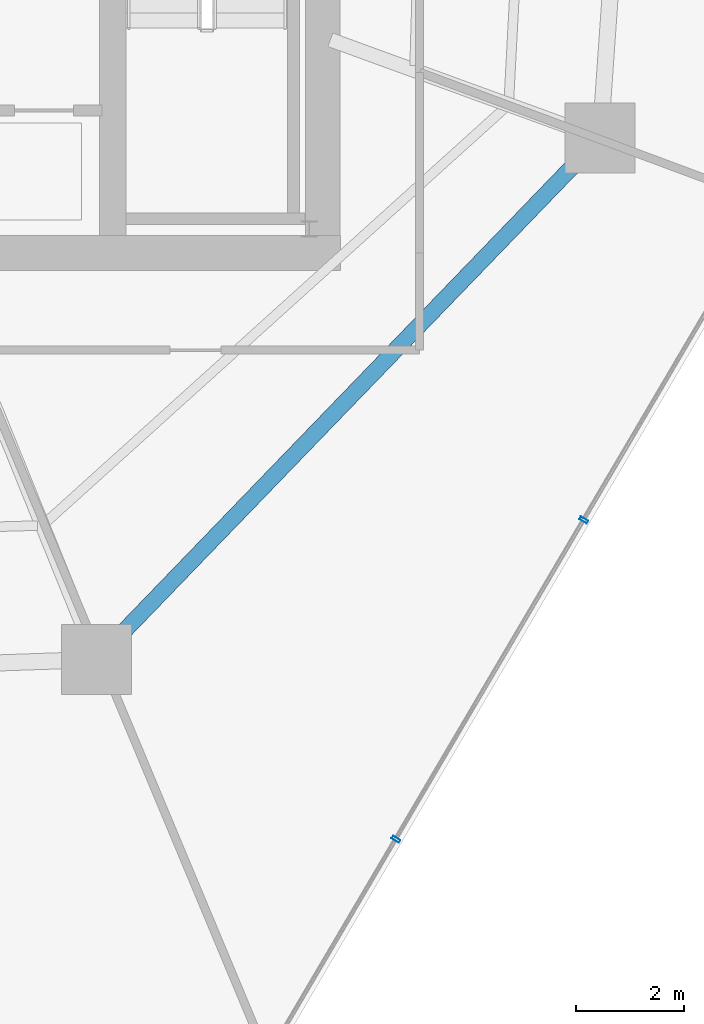
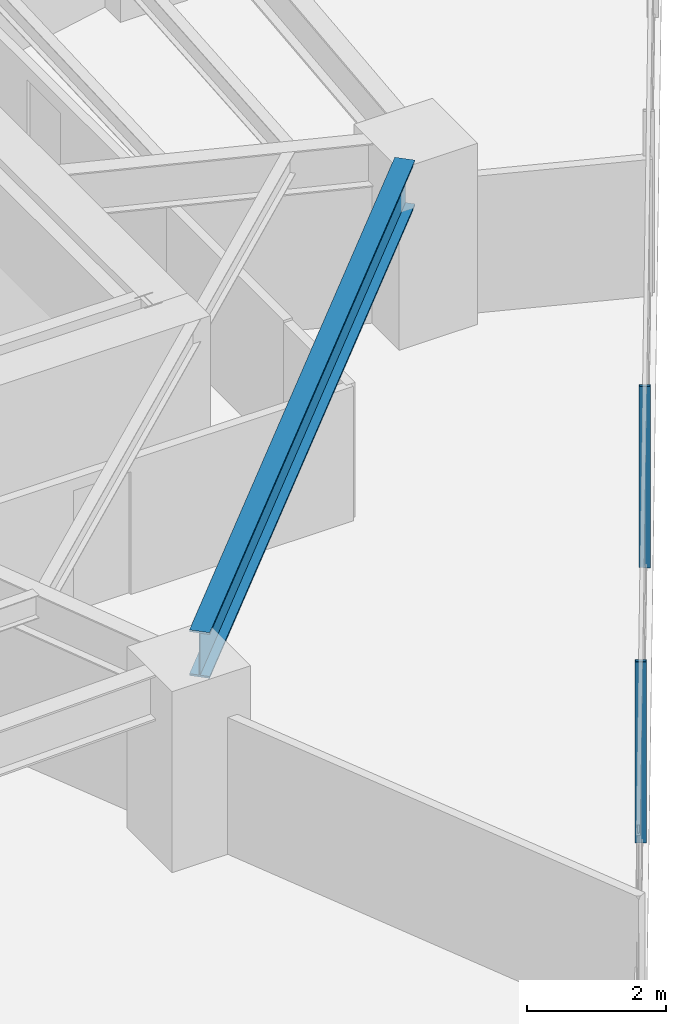
# One storey, part 11 of 31: 2 members, 1 beam, 1 element without a shape of its own.
"""IFC4 building model written with IfcOpenShell, lengths in metres."""

import ifcopenshell
import ifcopenshell.guid

model = None  # the IFC model being written
_history = None  # IfcOwnerHistory: only IFC2X3 demands one
_inside = {}  # id of a spatial element -> (the spatial element, [elements in it])
_under = {}  # id of a project, library or spatial element -> (it, [spatial elements below it])
_declared = {}  # id of a project -> (the project, [libraries it declares])
_typed = {}  # id of a type object -> (the type object, [elements of that type])
_made_of = {}  # id of a material, layer set ... -> (it, [elements and type objects made of it])


def new_model(schema):
    """Start an empty IFC model of exactly this schema.

    Asked for "IFC4X3", IfcOpenShell would pick the latest addendum, in which some entities
    have other attributes; the version numbers below select the first issue.
    IFC2X3 requires an IfcOwnerHistory on every rooted entity: one is made here for all.
    """
    global model, _history
    if schema == "IFC4X3":
        model = ifcopenshell.file(schema_version=(4, 3, 0, 0))
    else:
        model = ifcopenshell.file(schema=schema)
    _inside.clear()
    _under.clear()
    _declared.clear()
    _typed.clear()
    _made_of.clear()
    _history = None
    if model.schema == "IFC2X3":
        org = make("IfcOrganization", Name="unknown")
        user = make(
            "IfcPersonAndOrganization",
            ThePerson=make("IfcPerson", FamilyName="unknown"),
            TheOrganization=org,
        )
        app = make(
            "IfcApplication",
            ApplicationDeveloper=org,
            Version="unknown",
            ApplicationFullName="unknown",
            ApplicationIdentifier="unknown",
        )
        _history = make(
            "IfcOwnerHistory",
            OwningUser=user,
            OwningApplication=app,
            ChangeAction="ADDED",
            CreationDate=0,
        )
    return model


def make(cls, **values):
    """One entity of the class cls with the attributes given. An attribute that is None is left unset."""
    return model.create_entity(
        cls, **{name: value for name, value in values.items() if value is not None}
    )


def rooted(cls, **values):
    """An entity with a GlobalId (a new one), such as an element, a storey or a relation."""
    return make(cls, GlobalId=ifcopenshell.guid.new(), OwnerHistory=_history, **values)


def si_unit(unit_type, name, prefix=None):
    """IfcSIUnit, for example si_unit("LENGTHUNIT", "METRE", prefix="MILLI")."""
    return make("IfcSIUnit", UnitType=unit_type, Prefix=prefix, Name=name)


def assignment(units):
    """IfcUnitAssignment: the units of a project."""
    return None if units is None else make("IfcUnitAssignment", Units=units)


def point(xyz):
    """IfcCartesianPoint."""
    return None if xyz is None else make("IfcCartesianPoint", Coordinates=xyz)


def direction(xyz):
    """IfcDirection."""
    return None if xyz is None else make("IfcDirection", DirectionRatios=xyz)


def frame(location, z_axis=None, x_axis=None):
    """IfcAxis2Placement3D, a coordinate frame: its origin and axes. An axis left out is left unset."""
    return make(
        "IfcAxis2Placement3D",
        Location=point(location),
        Axis=direction(z_axis),
        RefDirection=direction(x_axis),
    )


def frame_2d(location, x_axis=None):
    """IfcAxis2Placement2D, a coordinate frame in the plane: its origin and x axis."""
    return make(
        "IfcAxis2Placement2D", Location=point(location), RefDirection=direction(x_axis)
    )


def origin():
    """The frame at (0, 0, 0) with its axes left unset."""
    return frame((0.0, 0.0, 0.0))


def origin_2d():
    """The frame at (0, 0) in the plane with its x axis left unset."""
    return frame_2d((0.0, 0.0))


def place(relative_to, where):
    """IfcLocalPlacement: puts the frame where relative to a parent placement (None: the world)."""
    return make(
        "IfcLocalPlacement", PlacementRelTo=relative_to, RelativePlacement=where
    )


def context(
    kind, dimensions, precision=None, world=None, true_north=None, identifier=None
):
    """IfcGeometricRepresentationContext, for example the 3D "Model" context."""
    return make(
        "IfcGeometricRepresentationContext",
        ContextIdentifier=identifier,
        ContextType=kind,
        CoordinateSpaceDimension=dimensions,
        Precision=precision,
        WorldCoordinateSystem=world,
        TrueNorth=true_north,
    )


def subcontext(parent, identifier, kind, view, scale=None):
    """IfcGeometricRepresentationSubContext, for example "Body" below "Model"."""
    return make(
        "IfcGeometricRepresentationSubContext",
        ContextIdentifier=identifier,
        ContextType=kind,
        ParentContext=parent,
        TargetScale=scale,
        TargetView=view,
    )


def project(units=None, contexts=None):
    """IfcProject with its units and contexts."""
    return rooted(
        "IfcProject",
        Name="project",
        RepresentationContexts=contexts,
        UnitsInContext=assignment(units),
    )


def spatial(cls, under=None, at=None, **own):
    """A site, building, storey or space (cls), placed at a placement, below another one or the project."""
    s = rooted(cls, ObjectPlacement=at, **own)
    if under is not None:
        _under.setdefault(under.id(), (under, []))[1].append(s)
    return s


def profile(cls, at=None, kind="AREA", **sizes):
    """A parametric profile (cls). Its sizes go by their IFC names, for example OverallWidth=200.0."""
    return make(cls, ProfileType=kind, Position=at, **sizes)


def hollow_rectangle(**sizes):
    """IfcRectangleHollowProfileDef."""
    return profile("IfcRectangleHollowProfileDef", **sizes)


def i_section(**sizes):
    """IfcIShapeProfileDef."""
    return profile("IfcIShapeProfileDef", **sizes)


def extrude(swept, where, along, depth):
    """IfcExtrudedAreaSolid: the profile swept, set in the frame where, extruded along a direction by depth."""
    return make(
        "IfcExtrudedAreaSolid",
        SweptArea=swept,
        Position=where,
        ExtrudedDirection=direction(along),
        Depth=depth,
    )


def shape(context_of_items, identifier, shape_type, items):
    """IfcShapeRepresentation: the items that make up one representation, for example the "Body"."""
    return make(
        "IfcShapeRepresentation",
        ContextOfItems=context_of_items,
        RepresentationIdentifier=identifier,
        RepresentationType=shape_type,
        Items=items,
    )


def material(Name=None, Category=None):
    """IfcMaterial."""
    return make("IfcMaterial", Name=Name, Category=Category)


def layer(
    of_material, thickness, ventilated=None, Name=None, Category=None, Priority=None
):
    """IfcMaterialLayer: one layer of a wall or slab, of a material (None: an air gap)."""
    return make(
        "IfcMaterialLayer",
        Material=of_material,
        LayerThickness=thickness,
        IsVentilated=ventilated,
        Name=Name,
        Category=Category,
        Priority=Priority,
    )


def layer_set(layers, Name=None):
    """IfcMaterialLayerSet."""
    return make("IfcMaterialLayerSet", MaterialLayers=layers, LayerSetName=Name)


def material_profile(
    of_material, cross_section, Name=None, Category=None, Priority=None
):
    """IfcMaterialProfile: a cross section and its material."""
    return make(
        "IfcMaterialProfile",
        Name=Name,
        Material=of_material,
        Profile=cross_section,
        Priority=Priority,
        Category=Category,
    )


def profile_set(profiles, Name=None, composite=None):
    """IfcMaterialProfileSet."""
    return make(
        "IfcMaterialProfileSet",
        Name=Name,
        MaterialProfiles=profiles,
        CompositeProfile=composite,
    )


def made_of(thing, what):
    """Note that an element or type object is made of a material, layer set ...; save() writes the relation."""
    if what is not None:
        _made_of.setdefault(what.id(), (what, []))[1].append(thing)
    return thing


def type_object(cls, material=None, **own):
    """A type object (cls), such as IfcWallType, which elements share."""
    return made_of(rooted(cls, **own), material)


def element(
    cls,
    number,
    at=None,
    inside=None,
    cuts=None,
    type_object=None,
    material=None,
    context=None,
    identifier="Body",
    shape_type=None,
    held_by="IfcProductDefinitionShape",
    body=None,
    shapes=None,
    **own,
):
    """One element of the class cls, such as IfcWall. Its Tag is "e" and its number.

    at: its placement. inside: the storey or other place that contains it. cuts: it is an
    opening in that element (IfcRelVoidsElement). A single representation is given by context,
    identifier, shape_type and body (its items); several are given by shapes. held_by: the class
    of the entity that holds the representations. save() writes the other relations.
    """
    e = rooted(cls, Tag="e%d" % number, ObjectPlacement=at, **own)
    if body is not None:
        shapes = [shape(context, identifier, shape_type, body)]
    if shapes is not None:
        e.Representation = make(held_by, Representations=shapes)
    if inside is not None:
        _inside.setdefault(inside.id(), (inside, []))[1].append(e)
    if cuts is not None:
        rooted(
            "IfcRelVoidsElement", RelatingBuildingElement=cuts, RelatedOpeningElement=e
        )
    if type_object is not None:
        _typed.setdefault(type_object.id(), (type_object, []))[1].append(e)
    return made_of(e, material)


def aggregate(whole, parts):
    """IfcRelAggregates: a whole, such as a stair, and the parts it consists of."""
    return rooted("IfcRelAggregates", RelatingObject=whole, RelatedObjects=parts)


def save(model, path):
    """Write the relations noted so far, then the file.

    IfcRelAggregates (storeys below a building ...), IfcRelContainedInSpatialStructure (elements
    in a storey), IfcRelDefinesByType, IfcRelAssociatesMaterial and IfcRelDeclares: one each for
    every whole, place, type object, material and project.
    """
    for whole, parts in _under.values():
        aggregate(whole, parts)
    for where, things in _inside.values():
        rooted(
            "IfcRelContainedInSpatialStructure",
            RelatedElements=things,
            RelatingStructure=where,
        )
    for kind, things in _typed.values():
        rooted("IfcRelDefinesByType", RelatedObjects=things, RelatingType=kind)
    for what, things in _made_of.values():
        rooted("IfcRelAssociatesMaterial", RelatedObjects=things, RelatingMaterial=what)
    for by, libraries in _declared.values():
        rooted("IfcRelDeclares", RelatingContext=by, RelatedDefinitions=libraries)
    model.write(path)


model = new_model("IFC4")

# Units and contexts
model_context = context("Model", 3, precision=1e-05, world=origin(), true_north=direction((0.0, 1.0)))
body_context = subcontext(model_context, "Body", "Model", "MODEL_VIEW")
ifc_project = project(units=[si_unit("LENGTHUNIT", "METRE"), si_unit("AREAUNIT", "SQUARE_METRE"), si_unit("VOLUMEUNIT", "CUBIC_METRE"), si_unit("PLANEANGLEUNIT", "RADIAN"), si_unit("MASSUNIT", "GRAM", prefix="KILO")], contexts=[model_context])

# Site, building, storey
site_placement = place(None, origin())
site = spatial("IfcSite", under=ifc_project, at=site_placement, CompositionType="ELEMENT")
building_placement = place(site_placement, origin())
building = spatial("IfcBuilding", under=site, at=building_placement, Name="Qarnah Convention Tower", CompositionType="ELEMENT")
storey_placement = place(building_placement, frame((0.0, 0.0, 64.949951171875)))
storey = spatial("IfcBuildingStorey", under=building, at=storey_placement, Name="L16", CompositionType="ELEMENT", Elevation=64.949951171875)

# Beam
ifc_material_1 = material(Name="Structural steel S355JR", Category="steel")
ifc_material_profile_1 = material_profile(ifc_material_1, i_section(OverallWidth=0.300048828125, OverallDepth=0.800048828125, WebThickness=0.01806640625, FlangeThickness=0.032958984375, at=origin_2d()), Name="HEB800")
ifc_profile_set_1 = profile_set([ifc_material_profile_1], Name="Structural steel S355JR")
beam_type = type_object("IfcBeamType", Name="BM-RING-HEB800", PredefinedType="BEAM", material=ifc_profile_set_1)
beam_placement = place(storey_placement, frame((43.844970703125, 11.514892578125, 2.77001953125), z_axis=(0.694553028655, 0.719441512832, 0.0), x_axis=(-0.719441512832, 0.694553028655, 0.0)))
element("IfcBeam", 1, at=beam_placement, inside=storey, type_object=beam_type, Name="L16 beam BM-L16-SPN-08", PredefinedType="BEAM", context=body_context, shape_type="SweptSolid", body=[
    extrude(i_section(OverallWidth=0.300048828125, OverallDepth=0.800048828125, WebThickness=0.01806640625, FlangeThickness=0.032958984375, at=origin_2d()), origin(), (0.0, 0.0, 1.0), 12.183349609375),
])

# Curtain wall, members
ifc_material_2 = material(Name="Tempered Low-E dark glass", Category="glass")
ifc_layer = layer(ifc_material_2, 0.16796875)
ifc_layer_set = layer_set([ifc_layer], Name="Tempered Low-E dark glass")
curtain_wall_type = type_object("IfcCurtainWallType", Name="CWS-01", PredefinedType="NOTDEFINED", material=ifc_layer_set)
curtain_wall_placement = place(storey_placement, origin())
curtain_wall = element("IfcCurtainWall", 2, at=curtain_wall_placement, inside=storey, type_object=curtain_wall_type, Name="L16 unitised curtain wall CW-L16-F2", PredefinedType="NOTDEFINED")
ifc_material_3 = material(Name="Black anodised aluminium", Category="aluminium")
ifc_material_profile_2 = material_profile(ifc_material_3, hollow_rectangle(XDim=0.06005859375, YDim=0.159912109375, WallThickness=0.00390625, at=origin_2d()), Name="MUL-60X160")
ifc_profile_set_2 = profile_set([ifc_material_profile_2], Name="Black anodised aluminium")
member_type = type_object("IfcMemberType", Name="MUL-T1", PredefinedType="MULLION", material=ifc_profile_set_2)
member_1_placement = place(storey_placement, frame((52.448486328125, 13.6455078125, 0.0), z_axis=(0.0, 0.0, 1.0), x_axis=(-0.507200534441, -0.86182806746, 0.0)))
member_1 = element("IfcMember", 3, at=member_1_placement, type_object=member_type, Name="CW-L16-F2 mullion 4", PredefinedType="MULLION", context=body_context, shape_type="SweptSolid", body=[
    extrude(hollow_rectangle(XDim=0.06005859375, YDim=0.159912109375, WallThickness=0.00390625, at=origin_2d()), origin(), (0.0, 0.0, 1.0), 3.170166015625),
])
member_2_placement = place(storey_placement, frame((48.959228515625, 7.716796875, 0.0), z_axis=(0.0, 0.0, 1.0), x_axis=(-0.507200534441, -0.86182806746, 0.0)))
member_2 = element("IfcMember", 4, at=member_2_placement, type_object=member_type, Name="CW-L16-F2 mullion 5", PredefinedType="MULLION", context=body_context, shape_type="SweptSolid", body=[
    extrude(hollow_rectangle(XDim=0.06005859375, YDim=0.159912109375, WallThickness=0.00390625, at=origin_2d()), origin(), (0.0, 0.0, 1.0), 3.170166015625),
])
aggregate(curtain_wall, [member_1, member_2])

save(model, "model.ifc")
